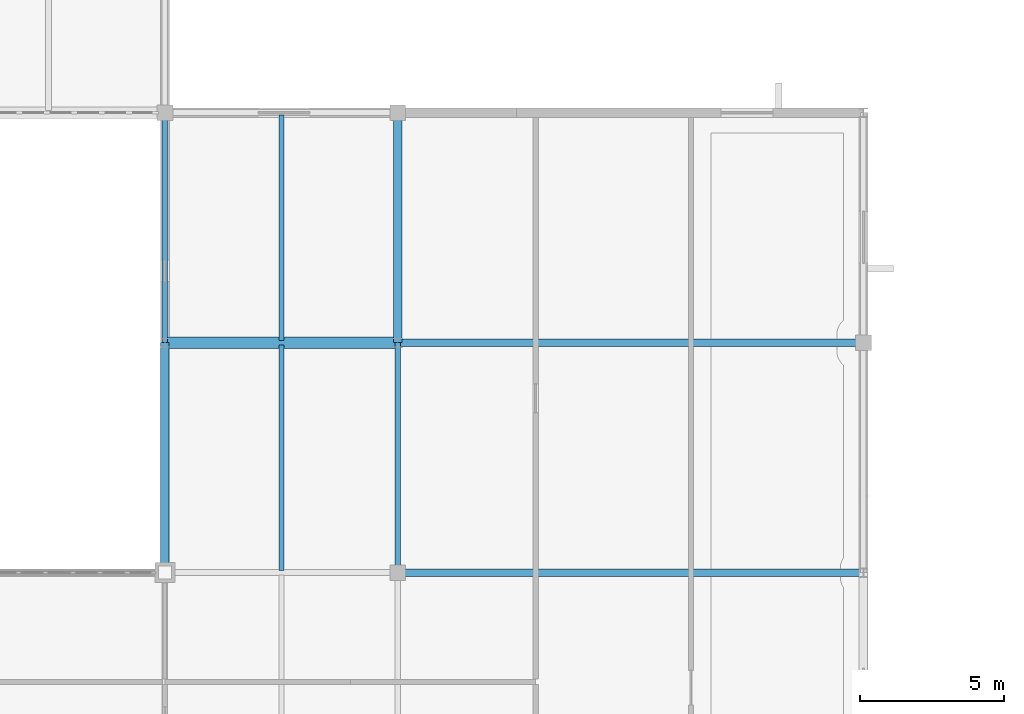
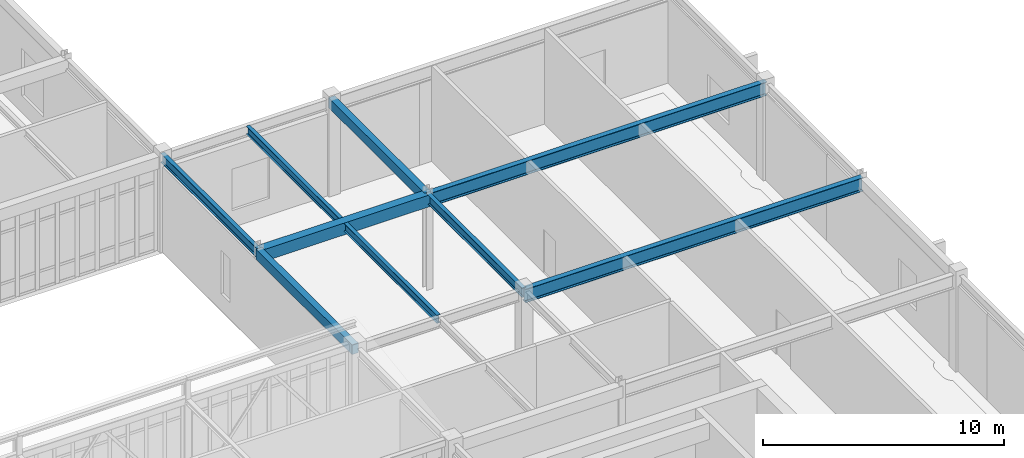
# One storey, part 35 of 107: 9 beams.
"""IFC4 building model written with IfcOpenShell, lengths in metres."""

from ifc_helpers import new_model, si_unit, direction, frame, origin, origin_2d, place, context, subcontext, project, spatial, rectangle, i_section, extrude, material, material_profile, profile_set, type_object, element, save


model = new_model("IFC4")

# Units and contexts
model_context = context("Model", 3, precision=1e-05, world=origin(), true_north=direction((0.0, 1.0)))
body_context = subcontext(model_context, "Body", "Model", "MODEL_VIEW")
ifc_project = project(units=[si_unit("LENGTHUNIT", "METRE"), si_unit("AREAUNIT", "SQUARE_METRE"), si_unit("VOLUMEUNIT", "CUBIC_METRE"), si_unit("PLANEANGLEUNIT", "RADIAN"), si_unit("MASSUNIT", "GRAM", prefix="KILO")], contexts=[model_context])

# Site, building, storey
site_placement = place(None, origin())
site = spatial("IfcSite", under=ifc_project, at=site_placement, CompositionType="ELEMENT")
building_placement = place(site_placement, origin())
building = spatial("IfcBuilding", under=site, at=building_placement, Name="Tarnveldt Square Police Headquarters", CompositionType="ELEMENT")
storey_placement = place(building_placement, frame((0.0, 0.0, 14.699951171875)))
storey = spatial("IfcBuildingStorey", under=building, at=storey_placement, Name="L03", CompositionType="ELEMENT", Elevation=14.699951171875)

# Beams
ifc_material_1 = material(Name="Concrete 40 MPa", Category="concrete")
ifc_material_profile_1 = material_profile(ifc_material_1, rectangle(XDim=0.300048828125, YDim=0.5, at=origin_2d()), Name="RC-B300x500")
ifc_profile_set_1 = profile_set([ifc_material_profile_1], Name="Concrete 40 MPa")
beam_type_1 = type_object("IfcBeamType", Name="BM-RC300x500", PredefinedType="BEAM", material=ifc_profile_set_1)
for number, where, z_axis, x_axis, name in (
    (1, (105.300048828125, 80.0, 4.590087890625), (0.0, 1.0, 0.0), (-1.0, 0.0, 0.0), "L04 Grid Girder Y-0907"),
    (2, (113.39990234375, 88.0, 4.590087890625), (0.0, 1.0, 0.0), (-1.0, 0.0, 0.0), "L04 Grid Girder Y-0913"),
):
    element("IfcBeam", number, at=place(storey_placement, frame(where, z_axis=z_axis, x_axis=x_axis)), inside=storey, type_object=beam_type_1, Name=name, PredefinedType="BEAM", context=body_context, shape_type="SweptSolid", body=[
        extrude(rectangle(XDim=0.300048828125, YDim=0.5, at=origin_2d()), origin(), (0.0, 0.0, 1.0), 8.0),
    ])
ifc_material_profile_2 = material_profile(ifc_material_1, rectangle(XDim=0.39990234375, YDim=0.60009765625, at=origin_2d()), Name="RC-B400x600")
ifc_profile_set_2 = profile_set([ifc_material_profile_2], Name="Concrete 40 MPa")
beam_type_2 = type_object("IfcBeamType", Name="BM-RC400x600", PredefinedType="BEAM", material=ifc_profile_set_2)
beam_placement = place(storey_placement, frame((105.300048828125, 88.0, 4.5400390625), z_axis=(1.0, 0.0, 0.0), x_axis=(0.0, 1.0, 0.0)))
element("IfcBeam", 3, at=beam_placement, inside=storey, type_object=beam_type_2, Name="L04 Grid Girder X-0830", PredefinedType="BEAM", context=body_context, shape_type="SweptSolid", body=[
    extrude(rectangle(XDim=0.39990234375, YDim=0.60009765625, at=origin_2d()), origin(), (0.0, 0.0, 1.0), 8.099853515625),
])
ifc_material_2 = material(Name="Steel 350W", Category="steel")
ifc_material_profile_3 = material_profile(ifc_material_2, i_section(OverallWidth=0.177978515625, OverallDepth=0.406982421875, WebThickness=0.0078125, FlangeThickness=0.0126953125, FilletRadius=0.01611328125, at=origin_2d()), Name="W410x60")
ifc_profile_set_3 = profile_set([ifc_material_profile_3], Name="Steel 350W")
beam_type_3 = type_object("IfcBeamType", Name="BM-W410x60", PredefinedType="JOIST", material=ifc_profile_set_3)
for number, where, z_axis, x_axis, name in (
    (4, (109.35009765625, 80.080078125, 4.636474609375), (0.0, 1.0, 0.0), (-1.0, 0.0, 0.0), "L04 Secondary Floor Joist 0193"),
    (5, (109.35009765625, 88.080078125, 4.636474609375), (0.0, 1.0, 0.0), (-1.0, 0.0, 0.0), "L04 Secondary Floor Joist 0197"),
):
    element("IfcBeam", number, at=place(storey_placement, frame(where, z_axis=z_axis, x_axis=x_axis)), inside=storey, type_object=beam_type_3, Name=name, PredefinedType="JOIST", context=body_context, shape_type="SweptSolid", body=[
        extrude(i_section(OverallWidth=0.177978515625, OverallDepth=0.406982421875, WebThickness=0.0078125, FlangeThickness=0.0126953125, FilletRadius=0.01611328125, at=origin_2d()), origin(), (0.0, 0.0, 1.0), 7.83984375),
    ])
ifc_material_profile_4 = material_profile(ifc_material_2, i_section(OverallWidth=0.19189453125, OverallDepth=0.462890625, WebThickness=0.010498046875, FlangeThickness=0.017578125, FilletRadius=0.01806640625, at=origin_2d()), Name="W460x89")
ifc_profile_set_4 = profile_set([ifc_material_profile_4], Name="Steel 350W")
beam_type_4 = type_object("IfcBeamType", Name="BM-W460x89", PredefinedType="BEAM", material=ifc_profile_set_4)
for number, where, z_axis, x_axis, name in (
    (6, (105.300048828125, 88.0, 4.608642578125), (0.0, 1.0, 0.0), (-1.0, 0.0, 0.0), "L04 Grid Girder Y-0908"),
    (7, (113.39990234375, 80.0, 4.608642578125), (0.0, 1.0, 0.0), (-1.0, 0.0, 0.0), "L04 Grid Girder Y-0912"),
):
    element("IfcBeam", number, at=place(storey_placement, frame(where, z_axis=z_axis, x_axis=x_axis)), inside=storey, type_object=beam_type_4, Name=name, PredefinedType="BEAM", context=body_context, shape_type="SweptSolid", body=[
        extrude(i_section(OverallWidth=0.19189453125, OverallDepth=0.462890625, WebThickness=0.010498046875, FlangeThickness=0.017578125, FilletRadius=0.01806640625, at=origin_2d()), origin(), (0.0, 0.0, 1.0), 8.0),
    ])
ifc_material_profile_5 = material_profile(ifc_material_2, i_section(OverallWidth=0.25390625, OverallDepth=0.68798828125, WebThickness=0.01318359375, FlangeThickness=0.02099609375, FilletRadius=0.02001953125, at=origin_2d()), Name="W690x152")
ifc_profile_set_5 = profile_set([ifc_material_profile_5], Name="Steel 350W")
beam_type_5 = type_object("IfcBeamType", Name="BM-W690x152", PredefinedType="BEAM", material=ifc_profile_set_5)
for number, where, z_axis, x_axis, name in (
    (8, (113.39990234375, 80.0, 4.49609375), (1.0, 0.0, 0.0), (0.0, 1.0, 0.0), "L04 Grid Girder X-0826"),
    (9, (113.39990234375, 88.0, 4.49609375), (1.0, 0.0, 0.0), (0.0, 1.0, 0.0), "L04 Grid Girder X-0831"),
):
    element("IfcBeam", number, at=place(storey_placement, frame(where, z_axis=z_axis, x_axis=x_axis)), inside=storey, type_object=beam_type_5, Name=name, PredefinedType="BEAM", context=body_context, shape_type="SweptSolid", body=[
        extrude(i_section(OverallWidth=0.25390625, OverallDepth=0.68798828125, WebThickness=0.01318359375, FlangeThickness=0.02099609375, FilletRadius=0.02001953125, at=origin_2d()), origin(), (0.0, 0.0, 1.0), 16.2001953125),
    ])

save(model, "model.ifc")
